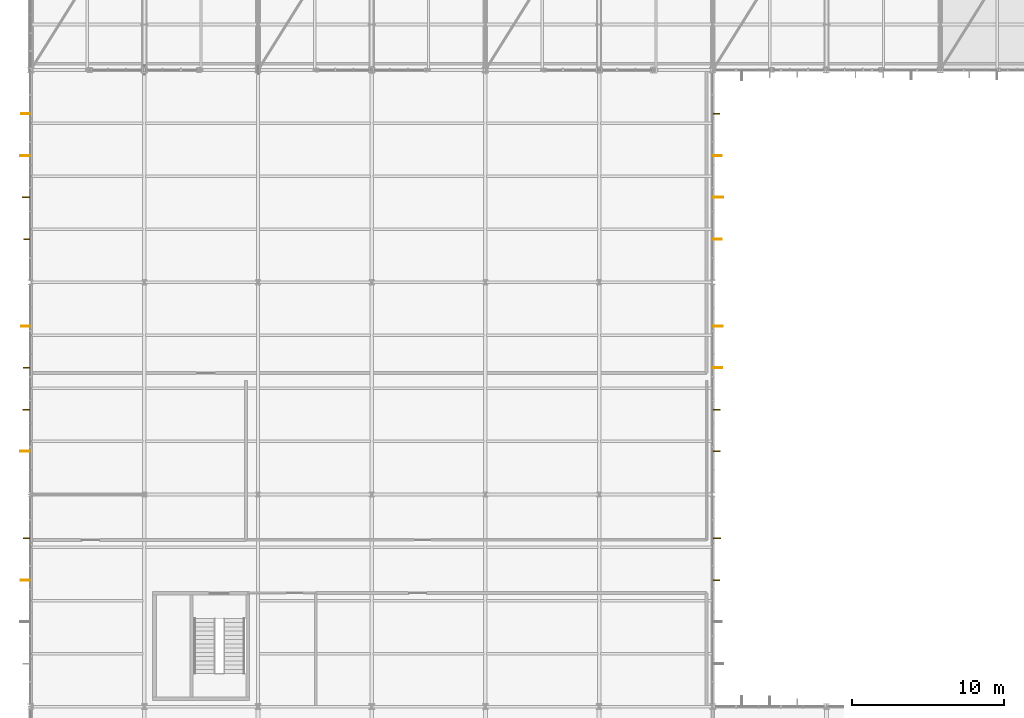
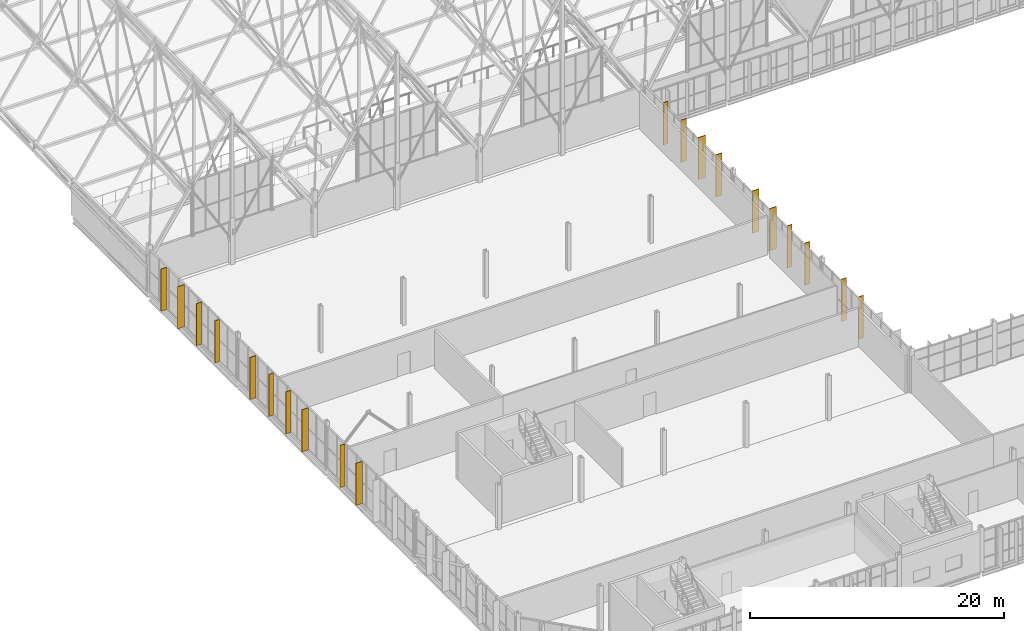
# One storey, part 315 of 324: 20 coverings.
"""IFC4 building model written with IfcOpenShell, lengths in metres."""

from ifc_helpers import new_model, si_unit, direction, frame, origin, origin_2d, place, context, subcontext, project, spatial, rectangle, extrude, material, layer, layer_set, type_object, element, save


model = new_model("IFC4")

# Units and contexts
model_context = context("Model", 3, precision=1e-05, world=origin(), true_north=direction((0.0, 1.0)))
body_context = subcontext(model_context, "Body", "Model", "MODEL_VIEW")
ifc_project = project(units=[si_unit("LENGTHUNIT", "METRE"), si_unit("AREAUNIT", "SQUARE_METRE"), si_unit("VOLUMEUNIT", "CUBIC_METRE"), si_unit("PLANEANGLEUNIT", "RADIAN"), si_unit("MASSUNIT", "GRAM", prefix="KILO")], contexts=[model_context])

# Site, building, storey
site_placement = place(None, origin())
site = spatial("IfcSite", under=ifc_project, at=site_placement, CompositionType="ELEMENT")
building_placement = place(site_placement, origin())
building = spatial("IfcBuilding", under=site, at=building_placement, Name="Solvenia Promenade Tram Depot", CompositionType="ELEMENT")
storey_placement = place(building_placement, frame((0.0, 0.0, 4.5)))
storey = spatial("IfcBuildingStorey", under=building, at=storey_placement, Name="L01", CompositionType="ELEMENT", Elevation=4.5)

# Coverings
ifc_material = material(Name="Anodized aluminium AW-6063 T6", Category="aluminium")
ifc_layer = layer(ifc_material, 0.06005859375, Name="Anodized aluminium AW-6063 T6", Category="aluminium")
ifc_layer_set = layer_set([ifc_layer], Name="Anodized aluminium AW-6063 T6")
covering_type = type_object("IfcCoveringType", Name="Fin-Param-560", PredefinedType="CLADDING", material=ifc_layer_set)
covering_1_placement = place(storey_placement, frame((-0.341064453125, 32.347900390625, 0.0), z_axis=(0.0, 0.0, 1.0), x_axis=(0.0, 1.0, 0.0)))
element("IfcCovering", 1, at=covering_1_placement, inside=storey, type_object=covering_type, Name="Parametric Vertical Brise-Soleil Fin 231", PredefinedType="CLADDING", context=body_context, shape_type="SweptSolid", body=[
    extrude(rectangle(XDim=0.06005859375, YDim=0.592041015625, at=origin_2d()), origin(), (0.0, 0.0, 1.0), 4.050048828125),
])
covering_2_placement = place(storey_placement, frame((-0.26708984375, 35.10400390625, 0.0), z_axis=(0.0, 0.0, 1.0), x_axis=(0.0, 1.0, 0.0)))
element("IfcCovering", 2, at=covering_2_placement, inside=storey, type_object=covering_type, Name="Parametric Vertical Brise-Soleil Fin 232", PredefinedType="CLADDING", context=body_context, shape_type="SweptSolid", body=[
    extrude(rectangle(XDim=0.06005859375, YDim=0.444091796875, at=origin_2d()), origin(), (0.0, 0.0, 1.0), 4.050048828125),
])
covering_3_placement = place(storey_placement, frame((-0.3583984375, 40.8359375, 0.0), z_axis=(0.0, 0.0, 1.0), x_axis=(0.0, 1.0, 0.0)))
element("IfcCovering", 3, at=covering_3_placement, inside=storey, type_object=covering_type, Name="Parametric Vertical Brise-Soleil Fin 233", PredefinedType="CLADDING", context=body_context, shape_type="SweptSolid", body=[
    extrude(rectangle(XDim=0.06005859375, YDim=0.626953125, at=origin_2d()), origin(), (0.0, 0.0, 1.0), 4.050048828125),
])
covering_4_placement = place(storey_placement, frame((-0.28759765625, 43.592041015625, 0.0), z_axis=(0.0, 0.0, 1.0), x_axis=(0.0, 1.0, 0.0)))
element("IfcCovering", 4, at=covering_4_placement, inside=storey, type_object=covering_type, Name="Parametric Vertical Brise-Soleil Fin 234", PredefinedType="CLADDING", context=body_context, shape_type="SweptSolid", body=[
    extrude(rectangle(XDim=0.06005859375, YDim=0.485107421875, at=origin_2d()), origin(), (0.0, 0.0, 1.0), 4.050048828125),
])
covering_5_placement = place(storey_placement, frame((-0.258544921875, 46.347900390625, 0.0), z_axis=(0.0, 0.0, 1.0), x_axis=(0.0, 1.0, 0.0)))
element("IfcCovering", 5, at=covering_5_placement, inside=storey, type_object=covering_type, Name="Parametric Vertical Brise-Soleil Fin 235", PredefinedType="CLADDING", context=body_context, shape_type="SweptSolid", body=[
    extrude(rectangle(XDim=0.06005859375, YDim=0.427001953125, at=origin_2d()), origin(), (0.0, 0.0, 1.0), 4.050048828125),
])
covering_6_placement = place(storey_placement, frame((-0.324951171875, 49.10400390625, 0.0), z_axis=(0.0, 0.0, 1.0), x_axis=(0.0, 1.0, 0.0)))
element("IfcCovering", 6, at=covering_6_placement, inside=storey, type_object=covering_type, Name="Parametric Vertical Brise-Soleil Fin 236", PredefinedType="CLADDING", context=body_context, shape_type="SweptSolid", body=[
    extrude(rectangle(XDim=0.06005859375, YDim=0.56005859375, at=origin_2d()), origin(), (0.0, 0.0, 1.0), 4.050048828125),
])
covering_7_placement = place(storey_placement, frame((-0.255615234375, 54.8359375, 0.0), z_axis=(0.0, 0.0, 1.0), x_axis=(0.0, 1.0, 0.0)))
element("IfcCovering", 7, at=covering_7_placement, inside=storey, type_object=covering_type, Name="Parametric Vertical Brise-Soleil Fin 237", PredefinedType="CLADDING", context=body_context, shape_type="SweptSolid", body=[
    extrude(rectangle(XDim=0.06005859375, YDim=0.4208984375, at=origin_2d()), origin(), (0.0, 0.0, 1.0), 4.050048828125),
])
covering_8_placement = place(storey_placement, frame((-0.299072265625, 57.592041015625, 0.0), z_axis=(0.0, 0.0, 1.0), x_axis=(0.0, 1.0, 0.0)))
element("IfcCovering", 8, at=covering_8_placement, inside=storey, type_object=covering_type, Name="Parametric Vertical Brise-Soleil Fin 238", PredefinedType="CLADDING", context=body_context, shape_type="SweptSolid", body=[
    extrude(rectangle(XDim=0.06005859375, YDim=0.508056640625, at=origin_2d()), origin(), (0.0, 0.0, 1.0), 4.050048828125),
])
covering_9_placement = place(storey_placement, frame((-0.363037109375, 60.347900390625, 0.0), z_axis=(0.0, 0.0, 1.0), x_axis=(0.0, 1.0, 0.0)))
element("IfcCovering", 9, at=covering_9_placement, inside=storey, type_object=covering_type, Name="Parametric Vertical Brise-Soleil Fin 239", PredefinedType="CLADDING", context=body_context, shape_type="SweptSolid", body=[
    extrude(rectangle(XDim=0.06005859375, YDim=0.635986328125, at=origin_2d()), origin(), (0.0, 0.0, 1.0), 4.050048828125),
])
covering_10_placement = place(storey_placement, frame((-0.3291015625, 63.10400390625, 0.0), z_axis=(0.0, 0.0, 1.0), x_axis=(0.0, 1.0, 0.0)))
element("IfcCovering", 10, at=covering_10_placement, inside=storey, type_object=covering_type, Name="Parametric Vertical Brise-Soleil Fin 240", PredefinedType="CLADDING", context=body_context, shape_type="SweptSolid", body=[
    extrude(rectangle(XDim=0.06005859375, YDim=0.568115234375, at=origin_2d()), origin(), (0.0, 0.0, 1.0), 4.050048828125),
])
covering_11_placement = place(storey_placement, frame((45.258544921875, 32.347900390625, 0.0), z_axis=(0.0, 0.0, 1.0), x_axis=(0.0, 1.0, 0.0)))
element("IfcCovering", 11, at=covering_11_placement, inside=storey, type_object=covering_type, Name="Parametric Vertical Brise-Soleil Fin 243", PredefinedType="CLADDING", context=body_context, shape_type="SweptSolid", body=[
    extrude(rectangle(XDim=0.06005859375, YDim=0.427001953125, at=origin_2d()), origin(), (0.0, 0.0, 1.0), 4.050048828125),
])
covering_12_placement = place(storey_placement, frame((45.287109375, 35.10400390625, 0.0), z_axis=(0.0, 0.0, 1.0), x_axis=(0.0, 1.0, 0.0)))
element("IfcCovering", 12, at=covering_12_placement, inside=storey, type_object=covering_type, Name="Parametric Vertical Brise-Soleil Fin 244", PredefinedType="CLADDING", context=body_context, shape_type="SweptSolid", body=[
    extrude(rectangle(XDim=0.06005859375, YDim=0.48388671875, at=origin_2d()), origin(), (0.0, 0.0, 1.0), 4.050048828125),
])
covering_13_placement = place(storey_placement, frame((45.27294921875, 40.8359375, 0.0), z_axis=(0.0, 0.0, 1.0), x_axis=(0.0, 1.0, 0.0)))
element("IfcCovering", 13, at=covering_13_placement, inside=storey, type_object=covering_type, Name="Parametric Vertical Brise-Soleil Fin 245", PredefinedType="CLADDING", context=body_context, shape_type="SweptSolid", body=[
    extrude(rectangle(XDim=0.06005859375, YDim=0.4560546875, at=origin_2d()), origin(), (0.0, 0.0, 1.0), 4.050048828125),
])
covering_14_placement = place(storey_placement, frame((45.26708984375, 43.592041015625, 0.0), z_axis=(0.0, 0.0, 1.0), x_axis=(0.0, 1.0, 0.0)))
element("IfcCovering", 14, at=covering_14_placement, inside=storey, type_object=covering_type, Name="Parametric Vertical Brise-Soleil Fin 246", PredefinedType="CLADDING", context=body_context, shape_type="SweptSolid", body=[
    extrude(rectangle(XDim=0.06005859375, YDim=0.444091796875, at=origin_2d()), origin(), (0.0, 0.0, 1.0), 4.050048828125),
])
covering_15_placement = place(storey_placement, frame((45.340576171875, 46.347900390625, 0.0), z_axis=(0.0, 0.0, 1.0), x_axis=(0.0, 1.0, 0.0)))
element("IfcCovering", 15, at=covering_15_placement, inside=storey, type_object=covering_type, Name="Parametric Vertical Brise-Soleil Fin 247", PredefinedType="CLADDING", context=body_context, shape_type="SweptSolid", body=[
    extrude(rectangle(XDim=0.06005859375, YDim=0.591064453125, at=origin_2d()), origin(), (0.0, 0.0, 1.0), 4.050048828125),
])
covering_16_placement = place(storey_placement, frame((45.35791015625, 49.10400390625, 0.0), z_axis=(0.0, 0.0, 1.0), x_axis=(0.0, 1.0, 0.0)))
element("IfcCovering", 16, at=covering_16_placement, inside=storey, type_object=covering_type, Name="Parametric Vertical Brise-Soleil Fin 248", PredefinedType="CLADDING", context=body_context, shape_type="SweptSolid", body=[
    extrude(rectangle(XDim=0.06005859375, YDim=0.6259765625, at=origin_2d()), origin(), (0.0, 0.0, 1.0), 4.050048828125),
])
covering_17_placement = place(storey_placement, frame((45.31640625, 54.8359375, 0.0), z_axis=(0.0, 0.0, 1.0), x_axis=(0.0, 1.0, 0.0)))
element("IfcCovering", 17, at=covering_17_placement, inside=storey, type_object=covering_type, Name="Parametric Vertical Brise-Soleil Fin 249", PredefinedType="CLADDING", context=body_context, shape_type="SweptSolid", body=[
    extrude(rectangle(XDim=0.06005859375, YDim=0.54296875, at=origin_2d()), origin(), (0.0, 0.0, 1.0), 4.050048828125),
])
covering_18_placement = place(storey_placement, frame((45.364990234375, 57.592041015625, 0.0), z_axis=(0.0, 0.0, 1.0), x_axis=(0.0, 1.0, 0.0)))
element("IfcCovering", 18, at=covering_18_placement, inside=storey, type_object=covering_type, Name="Parametric Vertical Brise-Soleil Fin 250", PredefinedType="CLADDING", context=body_context, shape_type="SweptSolid", body=[
    extrude(rectangle(XDim=0.06005859375, YDim=0.639892578125, at=origin_2d()), origin(), (0.0, 0.0, 1.0), 4.050048828125),
])
covering_19_placement = place(storey_placement, frame((45.3115234375, 60.347900390625, 0.0), z_axis=(0.0, 0.0, 1.0), x_axis=(0.0, 1.0, 0.0)))
element("IfcCovering", 19, at=covering_19_placement, inside=storey, type_object=covering_type, Name="Parametric Vertical Brise-Soleil Fin 251", PredefinedType="CLADDING", context=body_context, shape_type="SweptSolid", body=[
    extrude(rectangle(XDim=0.06005859375, YDim=0.532958984375, at=origin_2d()), origin(), (0.0, 0.0, 1.0), 4.050048828125),
])
covering_20_placement = place(storey_placement, frame((45.255615234375, 63.10400390625, 0.0), z_axis=(0.0, 0.0, 1.0), x_axis=(0.0, 1.0, 0.0)))
element("IfcCovering", 20, at=covering_20_placement, inside=storey, type_object=covering_type, Name="Parametric Vertical Brise-Soleil Fin 252", PredefinedType="CLADDING", context=body_context, shape_type="SweptSolid", body=[
    extrude(rectangle(XDim=0.06005859375, YDim=0.4208984375, at=origin_2d()), origin(), (0.0, 0.0, 1.0), 4.050048828125),
])

save(model, "model.ifc")
